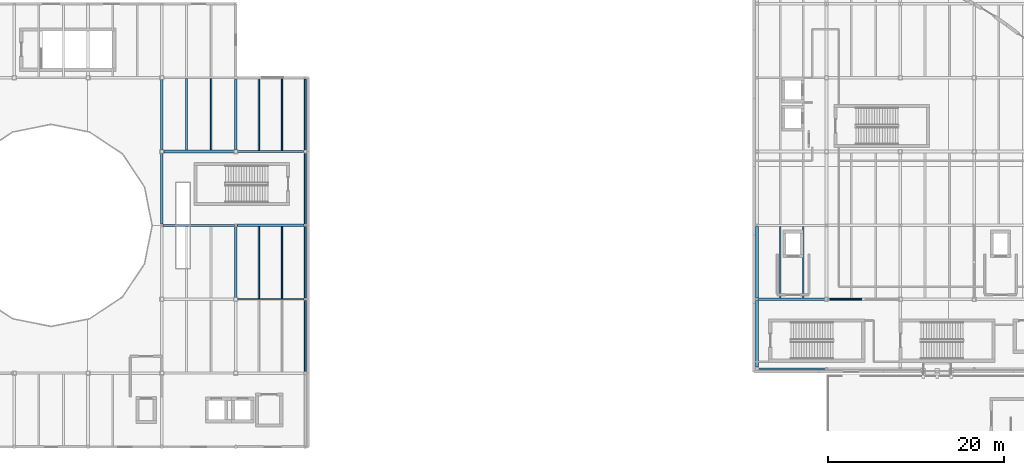
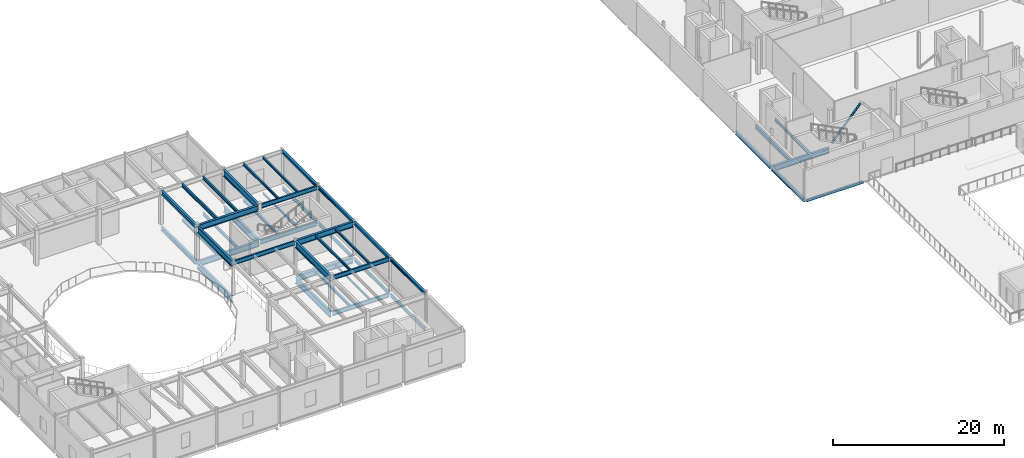
# One storey, part 15 of 57: 43 beams, 1 member.
"""IFC4 building model written with IfcOpenShell, lengths in metres."""

from ifc_helpers import new_model, si_unit, direction, frame, origin, origin_2d, place, context, subcontext, project, spatial, hollow_rectangle, hollow_circle, i_section, extrude, material, material_profile, profile_set, type_object, element, save


model = new_model("IFC4")

# Units and contexts
model_context = context("Model", 3, precision=1e-05, world=origin(), true_north=direction((0.0, 1.0)))
body_context = subcontext(model_context, "Body", "Model", "MODEL_VIEW")
ifc_project = project(units=[si_unit("LENGTHUNIT", "METRE"), si_unit("AREAUNIT", "SQUARE_METRE"), si_unit("VOLUMEUNIT", "CUBIC_METRE"), si_unit("PLANEANGLEUNIT", "RADIAN"), si_unit("MASSUNIT", "GRAM", prefix="KILO"), si_unit("THERMODYNAMICTEMPERATUREUNIT", "KELVIN")], contexts=[model_context])

# Site, building, storey
site_placement = place(None, origin())
site = spatial("IfcSite", under=ifc_project, at=site_placement, CompositionType="ELEMENT")
building_placement = place(site_placement, origin())
building = spatial("IfcBuilding", under=site, at=building_placement, Name="Lustrewick Department Store", CompositionType="ELEMENT")
storey_placement = place(building_placement, frame((0.0, 0.0, 26.699951171875)))
storey = spatial("IfcBuildingStorey", under=building, at=storey_placement, Name="L06", CompositionType="ELEMENT", Elevation=26.699951171875)

# Beams
ifc_material_1 = material(Name="Structural steel Q355B", Category="steel")
ifc_material_profile_1 = material_profile(ifc_material_1, i_section(OverallWidth=0.199951171875, OverallDepth=0.5, WebThickness=0.010009765625, FlangeThickness=0.01611328125, FilletRadius=0.01611328125, at=origin_2d()), Name="HN 500x200x10x16")
ifc_profile_set_1 = profile_set([ifc_material_profile_1], Name="Structural steel Q355B")
beam_type_1 = type_object("IfcBeamType", Name="B01", PredefinedType="JOIST", material=ifc_profile_set_1)
beam_1_placement = place(storey_placement, frame((44.800048828125, 75.75, 4.594970703125), z_axis=(0.0, 1.0, 0.0), x_axis=(-1.0, 0.0, 0.0)))
element("IfcBeam", 1, at=beam_1_placement, inside=storey, type_object=beam_type_1, Name="L06 V1 Secondary Joist B01", PredefinedType="JOIST", context=body_context, shape_type="SweptSolid", body=[
    extrude(i_section(OverallWidth=0.199951171875, OverallDepth=0.5, WebThickness=0.010009765625, FlangeThickness=0.01611328125, FilletRadius=0.01611328125, at=origin_2d()), origin(), (0.0, 0.0, 1.0), 8.14990234375),
])
ifc_material_profile_2 = material_profile(ifc_material_1, i_section(OverallWidth=0.198974609375, OverallDepth=0.49609375, WebThickness=0.009033203125, FlangeThickness=0.013916015625, FilletRadius=0.01611328125, at=origin_2d()), Name="HN 496x199x9x14")
ifc_profile_set_2 = profile_set([ifc_material_profile_2], Name="Structural steel Q355B")
beam_type_2 = type_object("IfcBeamType", Name="B02", PredefinedType="JOIST", material=ifc_profile_set_2)
beam_2_placement = place(storey_placement, frame((112.333251953125, 58.950927734375, -0.5029296875), z_axis=(0.0, 1.0, 0.0), x_axis=(-1.0, 0.0, 0.0)))
element("IfcBeam", 2, at=beam_2_placement, inside=storey, type_object=beam_type_2, Name="L06 V4 Secondary Joist B02", PredefinedType="JOIST", context=body_context, shape_type="SweptSolid", body=[
    extrude(i_section(OverallWidth=0.198974609375, OverallDepth=0.49609375, WebThickness=0.009033203125, FlangeThickness=0.013916015625, FilletRadius=0.01611328125, at=origin_2d()), origin(), (0.0, 0.0, 1.0), 8.148681640625),
])
ifc_material_profile_3 = material_profile(ifc_material_1, i_section(OverallWidth=0.198974609375, OverallDepth=0.446044921875, WebThickness=0.008056640625, FlangeThickness=0.011962890625, FilletRadius=0.01611328125, at=origin_2d()), Name="HN 446x199x8x12")
ifc_profile_set_3 = profile_set([ifc_material_profile_3], Name="Structural steel Q355B")
beam_type_3 = type_object("IfcBeamType", Name="B04", PredefinedType="JOIST", material=ifc_profile_set_3)
beam_3_placement = place(storey_placement, frame((47.60009765625, 75.75, -0.47802734375), z_axis=(0.0, 1.0, 0.0), x_axis=(-1.0, 0.0, 0.0)))
element("IfcBeam", 3, at=beam_3_placement, inside=storey, type_object=beam_type_3, Name="L06 V1 Secondary Joist B04", PredefinedType="JOIST", context=body_context, shape_type="SweptSolid", body=[
    extrude(i_section(OverallWidth=0.198974609375, OverallDepth=0.446044921875, WebThickness=0.008056640625, FlangeThickness=0.011962890625, FilletRadius=0.01611328125, at=origin_2d()), origin(), (0.0, 0.0, 1.0), 8.1494140625),
])
ifc_material_profile_4 = material_profile(ifc_material_1, i_section(OverallWidth=0.199951171875, OverallDepth=0.39990234375, WebThickness=0.008056640625, FlangeThickness=0.012939453125, FilletRadius=0.013916015625, at=origin_2d()), Name="HN 400x200x8x13")
ifc_profile_set_4 = profile_set([ifc_material_profile_4], Name="Structural steel Q355B")
beam_type_4 = type_object("IfcBeamType", Name="B05", PredefinedType="JOIST", material=ifc_profile_set_4)
beam_4_placement = place(storey_placement, frame((47.60009765625, 75.75, 4.64501953125), z_axis=(0.0, 1.0, 0.0), x_axis=(-1.0, 0.0, 0.0)))
element("IfcBeam", 4, at=beam_4_placement, inside=storey, type_object=beam_type_4, Name="L06 V1 Secondary Joist B05", PredefinedType="JOIST", context=body_context, shape_type="SweptSolid", body=[
    extrude(i_section(OverallWidth=0.199951171875, OverallDepth=0.39990234375, WebThickness=0.008056640625, FlangeThickness=0.012939453125, FilletRadius=0.013916015625, at=origin_2d()), origin(), (0.0, 0.0, 1.0), 8.14990234375),
])
ifc_material_profile_5 = material_profile(ifc_material_1, i_section(OverallWidth=0.198974609375, OverallDepth=0.39599609375, WebThickness=0.007080078125, FlangeThickness=0.010986328125, FilletRadius=0.013916015625, at=origin_2d()), Name="HN 396x199x7x11")
ifc_profile_set_5 = profile_set([ifc_material_profile_5], Name="Structural steel Q355B")
beam_type_5 = type_object("IfcBeamType", Name="B06", PredefinedType="JOIST", material=ifc_profile_set_5)
beam_5_placement = place(storey_placement, frame((114.966796875, 58.950927734375, -0.452880859375), z_axis=(0.0, 1.0, 0.0), x_axis=(-1.0, 0.0, 0.0)))
element("IfcBeam", 5, at=beam_5_placement, inside=storey, type_object=beam_type_5, Name="L06 V4 Secondary Joist B06", PredefinedType="JOIST", context=body_context, shape_type="SweptSolid", body=[
    extrude(i_section(OverallWidth=0.198974609375, OverallDepth=0.39599609375, WebThickness=0.007080078125, FlangeThickness=0.010986328125, FilletRadius=0.013916015625, at=origin_2d()), origin(), (0.0, 0.0, 1.0), 8.148681640625),
])
ifc_material_profile_6 = material_profile(ifc_material_1, i_section(OverallWidth=0.25, OverallDepth=0.340087890625, WebThickness=0.009033203125, FlangeThickness=0.013916015625, FilletRadius=0.01611328125, at=origin_2d()), Name="HM 340x250x9x14")
ifc_profile_set_6 = profile_set([ifc_material_profile_6], Name="Structural steel Q355B")
beam_type_6 = type_object("IfcBeamType", Name="B08", PredefinedType="JOIST", material=ifc_profile_set_6)
beam_6_placement = place(storey_placement, frame((53.033203125, 58.900390625, -0.425048828125), z_axis=(0.0, 1.0, 0.0), x_axis=(-1.0, 0.0, 0.0)))
element("IfcBeam", 6, at=beam_6_placement, inside=storey, type_object=beam_type_6, Name="L06 V1 Secondary Joist B08", PredefinedType="JOIST", context=body_context, shape_type="SweptSolid", body=[
    extrude(i_section(OverallWidth=0.25, OverallDepth=0.340087890625, WebThickness=0.009033203125, FlangeThickness=0.013916015625, FilletRadius=0.01611328125, at=origin_2d()), origin(), (0.0, 0.0, 1.0), 8.149658203125),
])
beam_7_placement = place(storey_placement, frame((53.033203125, 75.700439453125, -0.425048828125), z_axis=(0.0, 1.0, 0.0), x_axis=(-1.0, 0.0, 0.0)))
element("IfcBeam", 7, at=beam_7_placement, inside=storey, type_object=beam_type_6, Name="L06 V1 Secondary Joist B08", PredefinedType="JOIST", context=body_context, shape_type="SweptSolid", body=[
    extrude(i_section(OverallWidth=0.25, OverallDepth=0.340087890625, WebThickness=0.009033203125, FlangeThickness=0.013916015625, FilletRadius=0.01611328125, at=origin_2d()), origin(), (0.0, 0.0, 1.0), 8.199462890625),
])
ifc_material_profile_7 = material_profile(ifc_material_1, i_section(OverallWidth=0.175048828125, OverallDepth=0.35009765625, WebThickness=0.007080078125, FlangeThickness=0.010986328125, FilletRadius=0.012939453125, at=origin_2d()), Name="HN 350x175x7x11")
ifc_profile_set_7 = profile_set([ifc_material_profile_7], Name="Structural steel Q355B")
beam_type_7 = type_object("IfcBeamType", Name="B09", PredefinedType="JOIST", material=ifc_profile_set_7)
beam_8_placement = place(storey_placement, frame((53.033203125, 58.89990234375, 4.670166015625), z_axis=(0.0, 1.0, 0.0), x_axis=(-1.0, 0.0, 0.0)))
element("IfcBeam", 8, at=beam_8_placement, inside=storey, type_object=beam_type_7, Name="L06 V1 Secondary Joist B09", PredefinedType="JOIST", context=body_context, shape_type="SweptSolid", body=[
    extrude(i_section(OverallWidth=0.175048828125, OverallDepth=0.35009765625, WebThickness=0.007080078125, FlangeThickness=0.010986328125, FilletRadius=0.012939453125, at=origin_2d()), origin(), (0.0, 0.0, 1.0), 8.150146484375),
])
beam_9_placement = place(storey_placement, frame((53.033203125, 75.699951171875, 4.670166015625), z_axis=(0.0, 1.0, 0.0), x_axis=(-1.0, 0.0, 0.0)))
element("IfcBeam", 9, at=beam_9_placement, inside=storey, type_object=beam_type_7, Name="L06 V1 Secondary Joist B09", PredefinedType="JOIST", context=body_context, shape_type="SweptSolid", body=[
    extrude(i_section(OverallWidth=0.175048828125, OverallDepth=0.35009765625, WebThickness=0.007080078125, FlangeThickness=0.010986328125, FilletRadius=0.012939453125, at=origin_2d()), origin(), (0.0, 0.0, 1.0), 8.199462890625),
])
ifc_material_profile_8 = material_profile(ifc_material_1, i_section(OverallWidth=0.14892578125, OverallDepth=0.298095703125, WebThickness=0.005615234375, FlangeThickness=0.008056640625, FilletRadius=0.011962890625, at=origin_2d()), Name="HN 298x149x5.5x8")
ifc_profile_set_8 = profile_set([ifc_material_profile_8], Name="Structural steel Q355B")
beam_type_8 = type_object("IfcBeamType", Name="B12", PredefinedType="JOIST", material=ifc_profile_set_8)
beam_10_placement = place(storey_placement, frame((55.666748046875, 58.900390625, -0.404052734375), z_axis=(0.0, 1.0, 0.0), x_axis=(-1.0, 0.0, 0.0)))
element("IfcBeam", 10, at=beam_10_placement, inside=storey, type_object=beam_type_8, Name="L06 V1 Secondary Joist B12", PredefinedType="JOIST", context=body_context, shape_type="SweptSolid", body=[
    extrude(i_section(OverallWidth=0.14892578125, OverallDepth=0.298095703125, WebThickness=0.005615234375, FlangeThickness=0.008056640625, FilletRadius=0.011962890625, at=origin_2d()), origin(), (0.0, 0.0, 1.0), 8.149658203125),
])
beam_11_placement = place(storey_placement, frame((55.666748046875, 75.700439453125, -0.404052734375), z_axis=(0.0, 1.0, 0.0), x_axis=(-1.0, 0.0, 0.0)))
element("IfcBeam", 11, at=beam_11_placement, inside=storey, type_object=beam_type_8, Name="L06 V1 Secondary Joist B12", PredefinedType="JOIST", context=body_context, shape_type="SweptSolid", body=[
    extrude(i_section(OverallWidth=0.14892578125, OverallDepth=0.298095703125, WebThickness=0.005615234375, FlangeThickness=0.008056640625, FilletRadius=0.011962890625, at=origin_2d()), origin(), (0.0, 0.0, 1.0), 8.199462890625),
])
ifc_material_profile_9 = material_profile(ifc_material_1, i_section(OverallWidth=0.199951171875, OverallDepth=0.2939453125, WebThickness=0.008056640625, FlangeThickness=0.011962890625, FilletRadius=0.013916015625, at=origin_2d()), Name="HM 294x200x8x12")
ifc_profile_set_9 = profile_set([ifc_material_profile_9], Name="Structural steel Q355B")
beam_type_9 = type_object("IfcBeamType", Name="B13", PredefinedType="JOIST", material=ifc_profile_set_9)
beam_12_placement = place(storey_placement, frame((44.800048828125, 75.75, -0.40185546875), z_axis=(0.0, 1.0, 0.0), x_axis=(-1.0, 0.0, 0.0)))
element("IfcBeam", 12, at=beam_12_placement, inside=storey, type_object=beam_type_9, Name="L06 V1 Secondary Joist B13", PredefinedType="JOIST", context=body_context, shape_type="SweptSolid", body=[
    extrude(i_section(OverallWidth=0.199951171875, OverallDepth=0.2939453125, WebThickness=0.008056640625, FlangeThickness=0.011962890625, FilletRadius=0.013916015625, at=origin_2d()), origin(), (0.0, 0.0, 1.0), 8.1494140625),
])
beam_13_placement = place(storey_placement, frame((55.666748046875, 58.89990234375, 4.697998046875), z_axis=(0.0, 1.0, 0.0), x_axis=(-1.0, 0.0, 0.0)))
element("IfcBeam", 13, at=beam_13_placement, inside=storey, type_object=beam_type_9, Name="L06 V1 Secondary Joist B13", PredefinedType="JOIST", context=body_context, shape_type="SweptSolid", body=[
    extrude(i_section(OverallWidth=0.199951171875, OverallDepth=0.2939453125, WebThickness=0.008056640625, FlangeThickness=0.011962890625, FilletRadius=0.013916015625, at=origin_2d()), origin(), (0.0, 0.0, 1.0), 8.150146484375),
])
beam_14_placement = place(storey_placement, frame((55.666748046875, 75.699951171875, 4.697998046875), z_axis=(0.0, 1.0, 0.0), x_axis=(-1.0, 0.0, 0.0)))
element("IfcBeam", 14, at=beam_14_placement, inside=storey, type_object=beam_type_9, Name="L06 V1 Secondary Joist B13", PredefinedType="JOIST", context=body_context, shape_type="SweptSolid", body=[
    extrude(i_section(OverallWidth=0.199951171875, OverallDepth=0.2939453125, WebThickness=0.008056640625, FlangeThickness=0.011962890625, FilletRadius=0.013916015625, at=origin_2d()), origin(), (0.0, 0.0, 1.0), 8.199462890625),
])

# Member
ifc_material_2 = material(Name="Structural steel Q355C", Category="steel")
ifc_material_profile_10 = material_profile(ifc_material_2, hollow_circle(Radius=0.136474609375, WallThickness=0.010009765625, at=origin_2d()), Name="CHS 273x10")
ifc_profile_set_10 = profile_set([ifc_material_profile_10], Name="Structural steel Q355C")
member_type = type_object("IfcMemberType", Name="BR03", PredefinedType="BRACE", material=ifc_profile_set_10)
member_placement = place(storey_placement, frame((117.824951171875, 58.800048828125, 0.150146484375), z_axis=(0.665591490675, 0.0, 0.746316265092), x_axis=(0.0, 1.0, 0.0)))
element("IfcMember", 15, at=member_placement, inside=storey, type_object=member_type, Name="L06 V4 Chevron Brace BR03", PredefinedType="BRACE", context=body_context, shape_type="SweptSolid", body=[
    extrude(hollow_circle(Radius=0.136474609375, WallThickness=0.010009765625, at=origin_2d()), origin(), (0.0, 0.0, 1.0), 5.82177734375),
])

# Beams
ifc_material_profile_11 = material_profile(ifc_material_2, i_section(OverallWidth=0.302001953125, OverallDepth=0.912109375, WebThickness=0.01806640625, FlangeThickness=0.033935546875, FilletRadius=0.02392578125, at=origin_2d()), Name="HN 912x302x18x34")
ifc_profile_set_11 = profile_set([ifc_material_profile_11], Name="Structural steel Q355C")
beam_type_10 = type_object("IfcBeamType", Name="G01", PredefinedType="BEAM", material=ifc_profile_set_11)
beam_15_placement = place(storey_placement, frame((42.0, 67.3720703125, -0.7109375), z_axis=(0.0, 1.0, 0.0), x_axis=(-1.0, 0.0, 0.0)))
element("IfcBeam", 16, at=beam_15_placement, inside=storey, type_object=beam_type_10, Name="L06 V1 Girder G01", PredefinedType="BEAM", context=body_context, shape_type="SweptSolid", body=[
    extrude(i_section(OverallWidth=0.302001953125, OverallDepth=0.912109375, WebThickness=0.01806640625, FlangeThickness=0.033935546875, FilletRadius=0.02392578125, at=origin_2d()), origin(), (0.0, 0.0, 1.0), 8.077880859375),
])
beam_16_placement = place(storey_placement, frame((50.39990234375, 58.949951171875, -0.7109375), z_axis=(0.0, 1.0, 0.0), x_axis=(-1.0, 0.0, 0.0)))
element("IfcBeam", 17, at=beam_16_placement, inside=storey, type_object=beam_type_10, Name="L06 V1 Girder G01", PredefinedType="BEAM", context=body_context, shape_type="SweptSolid", body=[
    extrude(i_section(OverallWidth=0.302001953125, OverallDepth=0.912109375, WebThickness=0.01806640625, FlangeThickness=0.033935546875, FilletRadius=0.02392578125, at=origin_2d()), origin(), (0.0, 0.0, 1.0), 8.078125),
])
beam_17_placement = place(storey_placement, frame((50.39990234375, 75.75, -0.7109375), z_axis=(0.0, 1.0, 0.0), x_axis=(-1.0, 0.0, 0.0)))
element("IfcBeam", 18, at=beam_17_placement, inside=storey, type_object=beam_type_10, Name="L06 V1 Girder G01", PredefinedType="BEAM", context=body_context, shape_type="SweptSolid", body=[
    extrude(i_section(OverallWidth=0.302001953125, OverallDepth=0.912109375, WebThickness=0.01806640625, FlangeThickness=0.033935546875, FilletRadius=0.02392578125, at=origin_2d()), origin(), (0.0, 0.0, 1.0), 8.072021484375),
])
ifc_material_profile_12 = material_profile(ifc_material_2, i_section(OverallWidth=0.300048828125, OverallDepth=0.89990234375, WebThickness=0.01611328125, FlangeThickness=0.028076171875, FilletRadius=0.02392578125, at=origin_2d()), Name="HN 900x300x16x28")
ifc_profile_set_12 = profile_set([ifc_material_profile_12], Name="Structural steel Q355C")
beam_type_11 = type_object("IfcBeamType", Name="G02", PredefinedType="BEAM", material=ifc_profile_set_12)
beam_18_placement = place(storey_placement, frame((42.0, 67.35009765625, 4.39501953125), z_axis=(0.0, 1.0, 0.0), x_axis=(-1.0, 0.0, 0.0)))
element("IfcBeam", 19, at=beam_18_placement, inside=storey, type_object=beam_type_11, Name="L06 V1 Girder G02", PredefinedType="BEAM", context=body_context, shape_type="SweptSolid", body=[
    extrude(i_section(OverallWidth=0.300048828125, OverallDepth=0.89990234375, WebThickness=0.01611328125, FlangeThickness=0.028076171875, FilletRadius=0.02392578125, at=origin_2d()), origin(), (0.0, 0.0, 1.0), 8.02490234375),
])
beam_19_placement = place(storey_placement, frame((50.39990234375, 59.02490234375, 4.39501953125), z_axis=(0.0, 1.0, 0.0), x_axis=(-1.0, 0.0, 0.0)))
element("IfcBeam", 20, at=beam_19_placement, inside=storey, type_object=beam_type_11, Name="L06 V1 Girder G02", PredefinedType="BEAM", context=body_context, shape_type="SweptSolid", body=[
    extrude(i_section(OverallWidth=0.300048828125, OverallDepth=0.89990234375, WebThickness=0.01611328125, FlangeThickness=0.028076171875, FilletRadius=0.02392578125, at=origin_2d()), origin(), (0.0, 0.0, 1.0), 8.025146484375),
])
beam_20_placement = place(storey_placement, frame((50.39990234375, 75.824951171875, 4.39501953125), z_axis=(0.0, 1.0, 0.0), x_axis=(-1.0, 0.0, 0.0)))
element("IfcBeam", 21, at=beam_20_placement, inside=storey, type_object=beam_type_11, Name="L06 V1 Girder G02", PredefinedType="BEAM", context=body_context, shape_type="SweptSolid", body=[
    extrude(i_section(OverallWidth=0.300048828125, OverallDepth=0.89990234375, WebThickness=0.01611328125, FlangeThickness=0.028076171875, FilletRadius=0.02392578125, at=origin_2d()), origin(), (0.0, 0.0, 1.0), 7.9970703125),
])
ifc_material_profile_13 = material_profile(ifc_material_2, i_section(OverallWidth=0.302001953125, OverallDepth=0.80810546875, WebThickness=0.01611328125, FlangeThickness=0.030029296875, FilletRadius=0.02197265625, at=origin_2d()), Name="HN 808x302x16x30")
ifc_profile_set_13 = profile_set([ifc_material_profile_13], Name="Structural steel Q355C")
beam_type_12 = type_object("IfcBeamType", Name="G04", PredefinedType="BEAM", material=ifc_profile_set_13)
beam_21_placement = place(storey_placement, frame((109.824951171875, 58.800048828125, -0.658935546875), z_axis=(1.0, 0.0, 0.0), x_axis=(0.0, 1.0, 0.0)))
element("IfcBeam", 22, at=beam_21_placement, inside=storey, type_object=beam_type_12, Name="L06 V4 Girder G04", PredefinedType="BEAM", context=body_context, shape_type="SweptSolid", body=[
    extrude(i_section(OverallWidth=0.302001953125, OverallDepth=0.80810546875, WebThickness=0.01611328125, FlangeThickness=0.030029296875, FilletRadius=0.02197265625, at=origin_2d()), origin(), (0.0, 0.0, 1.0), 7.625),
])
ifc_material_profile_14 = material_profile(ifc_material_1, i_section(OverallWidth=0.300048828125, OverallDepth=0.800048828125, WebThickness=0.013916015625, FlangeThickness=0.02587890625, FilletRadius=0.02197265625, at=origin_2d()), Name="HN 800x300x14x26")
ifc_profile_set_14 = profile_set([ifc_material_profile_14], Name="Structural steel Q355B")
beam_type_13 = type_object("IfcBeamType", Name="G05", PredefinedType="BEAM", material=ifc_profile_set_14)
beam_22_placement = place(storey_placement, frame((50.573974609375, 67.199951171875, -0.655029296875), z_axis=(1.0, 0.0, 0.0), x_axis=(0.0, 1.0, 0.0)))
element("IfcBeam", 23, at=beam_22_placement, inside=storey, type_object=beam_type_13, Name="L06 V1 Girder G05", PredefinedType="BEAM", context=body_context, shape_type="SweptSolid", body=[
    extrude(i_section(OverallWidth=0.300048828125, OverallDepth=0.800048828125, WebThickness=0.013916015625, FlangeThickness=0.02587890625, FilletRadius=0.02197265625, at=origin_2d()), origin(), (0.0, 0.0, 1.0), 7.60107421875),
])
beam_23_placement = place(storey_placement, frame((42.14990234375, 75.60009765625, -0.655029296875), z_axis=(1.0, 0.0, 0.0), x_axis=(0.0, 1.0, 0.0)))
element("IfcBeam", 24, at=beam_23_placement, inside=storey, type_object=beam_type_13, Name="L06 V1 Girder G05", PredefinedType="BEAM", context=body_context, shape_type="SweptSolid", body=[
    extrude(i_section(OverallWidth=0.300048828125, OverallDepth=0.800048828125, WebThickness=0.013916015625, FlangeThickness=0.02587890625, FilletRadius=0.02197265625, at=origin_2d()), origin(), (0.0, 0.0, 1.0), 8.10009765625),
])
ifc_material_profile_15 = material_profile(ifc_material_1, i_section(OverallWidth=0.300048828125, OverallDepth=0.7919921875, WebThickness=0.013916015625, FlangeThickness=0.02197265625, FilletRadius=0.02197265625, at=origin_2d()), Name="HN 792x300x14x22")
ifc_profile_set_15 = profile_set([ifc_material_profile_15], Name="Structural steel Q355B")
beam_type_14 = type_object("IfcBeamType", Name="G06", PredefinedType="BEAM", material=ifc_profile_set_15)
beam_24_placement = place(storey_placement, frame((50.550048828125, 67.199951171875, 4.448974609375), z_axis=(1.0, 0.0, 0.0), x_axis=(0.0, 1.0, 0.0)))
element("IfcBeam", 25, at=beam_24_placement, inside=storey, type_object=beam_type_14, Name="L06 V1 Girder G06", PredefinedType="BEAM", context=body_context, shape_type="SweptSolid", body=[
    extrude(i_section(OverallWidth=0.300048828125, OverallDepth=0.7919921875, WebThickness=0.013916015625, FlangeThickness=0.02197265625, FilletRadius=0.02197265625, at=origin_2d()), origin(), (0.0, 0.0, 1.0), 7.625),
])
beam_25_placement = place(storey_placement, frame((42.22509765625, 75.60009765625, 4.448974609375), z_axis=(1.0, 0.0, 0.0), x_axis=(0.0, 1.0, 0.0)))
element("IfcBeam", 26, at=beam_25_placement, inside=storey, type_object=beam_type_14, Name="L06 V1 Girder G06", PredefinedType="BEAM", context=body_context, shape_type="SweptSolid", body=[
    extrude(i_section(OverallWidth=0.300048828125, OverallDepth=0.7919921875, WebThickness=0.013916015625, FlangeThickness=0.02197265625, FilletRadius=0.02197265625, at=origin_2d()), origin(), (0.0, 0.0, 1.0), 7.949951171875),
])
ifc_material_profile_16 = material_profile(ifc_material_1, i_section(OverallWidth=0.302001953125, OverallDepth=0.593994140625, WebThickness=0.013916015625, FlangeThickness=0.02294921875, FilletRadius=0.02392578125, at=origin_2d()), Name="HM 594x302x14x23")
ifc_profile_set_16 = profile_set([ifc_material_profile_16], Name="Structural steel Q355B")
beam_type_15 = type_object("IfcBeamType", Name="G10", PredefinedType="BEAM", material=ifc_profile_set_16)
beam_26_placement = place(storey_placement, frame((42.0, 75.75, -0.552001953125), z_axis=(0.0, 1.0, 0.0), x_axis=(-1.0, 0.0, 0.0)))
element("IfcBeam", 27, at=beam_26_placement, inside=storey, type_object=beam_type_15, Name="L06 V1 Girder G10", PredefinedType="BEAM", context=body_context, shape_type="SweptSolid", body=[
    extrude(i_section(OverallWidth=0.302001953125, OverallDepth=0.593994140625, WebThickness=0.013916015625, FlangeThickness=0.02294921875, FilletRadius=0.02392578125, at=origin_2d()), origin(), (0.0, 0.0, 1.0), 8.10009765625),
])
ifc_material_profile_17 = material_profile(ifc_material_1, i_section(OverallWidth=0.300048828125, OverallDepth=0.587890625, WebThickness=0.011962890625, FlangeThickness=0.02001953125, FilletRadius=0.02392578125, at=origin_2d()), Name="HM 588x300x12x20")
ifc_profile_set_17 = profile_set([ifc_material_profile_17], Name="Structural steel Q355B")
beam_type_16 = type_object("IfcBeamType", Name="G11", PredefinedType="BEAM", material=ifc_profile_set_17)
beam_27_placement = place(storey_placement, frame((42.0, 75.824951171875, 4.551025390625), z_axis=(0.0, 1.0, 0.0), x_axis=(-1.0, 0.0, 0.0)))
element("IfcBeam", 28, at=beam_27_placement, inside=storey, type_object=beam_type_16, Name="L06 V1 Girder G11", PredefinedType="BEAM", context=body_context, shape_type="SweptSolid", body=[
    extrude(i_section(OverallWidth=0.300048828125, OverallDepth=0.587890625, WebThickness=0.011962890625, FlangeThickness=0.02001953125, FilletRadius=0.02392578125, at=origin_2d()), origin(), (0.0, 0.0, 1.0), 7.949951171875),
])
ifc_material_profile_18 = material_profile(ifc_material_1, i_section(OverallWidth=0.200927734375, OverallDepth=0.60595703125, WebThickness=0.011962890625, FlangeThickness=0.02001953125, FilletRadius=0.01806640625, at=origin_2d()), Name="HN 606x201x12x20")
ifc_profile_set_18 = profile_set([ifc_material_profile_18], Name="Structural steel Q355B")
beam_type_17 = type_object("IfcBeamType", Name="G13", PredefinedType="BEAM", material=ifc_profile_set_18)
beam_28_placement = place(storey_placement, frame((50.550048828125, 58.800048828125, -0.557861328125), z_axis=(1.0, 0.0, 0.0), x_axis=(0.0, 1.0, 0.0)))
element("IfcBeam", 29, at=beam_28_placement, inside=storey, type_object=beam_type_17, Name="L06 V1 Girder G13", PredefinedType="BEAM", context=body_context, shape_type="SweptSolid", body=[
    extrude(i_section(OverallWidth=0.200927734375, OverallDepth=0.60595703125, WebThickness=0.011962890625, FlangeThickness=0.02001953125, FilletRadius=0.01806640625, at=origin_2d()), origin(), (0.0, 0.0, 1.0), 7.625),
])
beam_29_placement = place(storey_placement, frame((50.550048828125, 75.60009765625, -0.557861328125), z_axis=(1.0, 0.0, 0.0), x_axis=(0.0, 1.0, 0.0)))
element("IfcBeam", 30, at=beam_29_placement, inside=storey, type_object=beam_type_17, Name="L06 V1 Girder G13", PredefinedType="BEAM", context=body_context, shape_type="SweptSolid", body=[
    extrude(i_section(OverallWidth=0.200927734375, OverallDepth=0.60595703125, WebThickness=0.011962890625, FlangeThickness=0.02001953125, FilletRadius=0.01806640625, at=origin_2d()), origin(), (0.0, 0.0, 1.0), 7.572021484375),
])
ifc_material_profile_19 = material_profile(ifc_material_1, i_section(OverallWidth=0.199951171875, OverallDepth=0.60009765625, WebThickness=0.010986328125, FlangeThickness=0.01708984375, FilletRadius=0.01806640625, at=origin_2d()), Name="HN 600x200x11x17")
ifc_profile_set_19 = profile_set([ifc_material_profile_19], Name="Structural steel Q355B")
beam_type_18 = type_object("IfcBeamType", Name="G14", PredefinedType="BEAM", material=ifc_profile_set_19)
beam_30_placement = place(storey_placement, frame((50.625, 58.800048828125, 4.545166015625), z_axis=(1.0, 0.0, 0.0), x_axis=(0.0, 1.0, 0.0)))
element("IfcBeam", 31, at=beam_30_placement, inside=storey, type_object=beam_type_18, Name="L06 V1 Girder G14", PredefinedType="BEAM", context=body_context, shape_type="SweptSolid", body=[
    extrude(i_section(OverallWidth=0.199951171875, OverallDepth=0.60009765625, WebThickness=0.010986328125, FlangeThickness=0.01708984375, FilletRadius=0.01806640625, at=origin_2d()), origin(), (0.0, 0.0, 1.0), 7.550048828125),
])
beam_31_placement = place(storey_placement, frame((42.14990234375, 67.199951171875, 4.545166015625), z_axis=(1.0, 0.0, 0.0), x_axis=(0.0, 1.0, 0.0)))
element("IfcBeam", 32, at=beam_31_placement, inside=storey, type_object=beam_type_18, Name="L06 V1 Girder G14", PredefinedType="BEAM", context=body_context, shape_type="SweptSolid", body=[
    extrude(i_section(OverallWidth=0.199951171875, OverallDepth=0.60009765625, WebThickness=0.010986328125, FlangeThickness=0.01708984375, FilletRadius=0.01806640625, at=origin_2d()), origin(), (0.0, 0.0, 1.0), 8.10009765625),
])
beam_32_placement = place(storey_placement, frame((50.625, 75.60009765625, 4.545166015625), z_axis=(1.0, 0.0, 0.0), x_axis=(0.0, 1.0, 0.0)))
element("IfcBeam", 33, at=beam_32_placement, inside=storey, type_object=beam_type_18, Name="L06 V1 Girder G14", PredefinedType="BEAM", context=body_context, shape_type="SweptSolid", body=[
    extrude(i_section(OverallWidth=0.199951171875, OverallDepth=0.60009765625, WebThickness=0.010986328125, FlangeThickness=0.01708984375, FilletRadius=0.01806640625, at=origin_2d()), origin(), (0.0, 0.0, 1.0), 7.4970703125),
])
ifc_material_profile_20 = material_profile(ifc_material_1, i_section(OverallWidth=0.200927734375, OverallDepth=0.506103515625, WebThickness=0.010986328125, FlangeThickness=0.01904296875, FilletRadius=0.01611328125, at=origin_2d()), Name="HN 506x201x11x19")
ifc_profile_set_20 = profile_set([ifc_material_profile_20], Name="Structural steel Q355B")
beam_type_19 = type_object("IfcBeamType", Name="SP01", PredefinedType="SPANDREL", material=ifc_profile_set_20)
beam_33_placement = place(storey_placement, frame((58.300048828125, 50.577880859375, -0.508056640625), z_axis=(0.0, 1.0, 0.0), x_axis=(-1.0, 0.0, 0.0)))
element("IfcBeam", 34, at=beam_33_placement, inside=storey, type_object=beam_type_19, Name="L06 V1 Girder SP01", PredefinedType="SPANDREL", context=body_context, shape_type="SweptSolid", body=[
    extrude(i_section(OverallWidth=0.200927734375, OverallDepth=0.506103515625, WebThickness=0.010986328125, FlangeThickness=0.01904296875, FilletRadius=0.01611328125, at=origin_2d()), origin(), (0.0, 0.0, 1.0), 8.09716796875),
])
beam_34_placement = place(storey_placement, frame((58.300048828125, 58.925048828125, -0.508056640625), z_axis=(0.0, 1.0, 0.0), x_axis=(-1.0, 0.0, 0.0)))
element("IfcBeam", 35, at=beam_34_placement, inside=storey, type_object=beam_type_19, Name="L06 V1 Girder SP01", PredefinedType="SPANDREL", context=body_context, shape_type="SweptSolid", body=[
    extrude(i_section(OverallWidth=0.200927734375, OverallDepth=0.506103515625, WebThickness=0.010986328125, FlangeThickness=0.01904296875, FilletRadius=0.01611328125, at=origin_2d()), origin(), (0.0, 0.0, 1.0), 8.14990234375),
])
beam_35_placement = place(storey_placement, frame((58.300048828125, 67.324951171875, -0.508056640625), z_axis=(0.0, 1.0, 0.0), x_axis=(-1.0, 0.0, 0.0)))
element("IfcBeam", 36, at=beam_35_placement, inside=storey, type_object=beam_type_19, Name="L06 V1 Girder SP01", PredefinedType="SPANDREL", context=body_context, shape_type="SweptSolid", body=[
    extrude(i_section(OverallWidth=0.200927734375, OverallDepth=0.506103515625, WebThickness=0.010986328125, FlangeThickness=0.01904296875, FilletRadius=0.01611328125, at=origin_2d()), origin(), (0.0, 0.0, 1.0), 8.09716796875),
])
beam_36_placement = place(storey_placement, frame((58.300048828125, 75.778076171875, -0.508056640625), z_axis=(0.0, 1.0, 0.0), x_axis=(-1.0, 0.0, 0.0)))
element("IfcBeam", 37, at=beam_36_placement, inside=storey, type_object=beam_type_19, Name="L06 V1 Girder SP01", PredefinedType="SPANDREL", context=body_context, shape_type="SweptSolid", body=[
    extrude(i_section(OverallWidth=0.200927734375, OverallDepth=0.506103515625, WebThickness=0.010986328125, FlangeThickness=0.01904296875, FilletRadius=0.01611328125, at=origin_2d()), origin(), (0.0, 0.0, 1.0), 8.096923828125),
])
ifc_material_profile_21 = material_profile(ifc_material_1, i_section(OverallWidth=0.300048828125, OverallDepth=0.43994140625, WebThickness=0.010986328125, FlangeThickness=0.01806640625, FilletRadius=0.02001953125, at=origin_2d()), Name="HM 440x300x11x18")
ifc_profile_set_21 = profile_set([ifc_material_profile_21], Name="Structural steel Q355B")
beam_type_20 = type_object("IfcBeamType", Name="SP02", PredefinedType="SPANDREL", material=ifc_profile_set_21)
beam_37_placement = place(storey_placement, frame((109.699951171875, 51.077880859375, -0.474853515625), z_axis=(0.0, 1.0, 0.0), x_axis=(-1.0, 0.0, 0.0)))
element("IfcBeam", 38, at=beam_37_placement, inside=storey, type_object=beam_type_20, Name="L06 V4 Girder SP02", PredefinedType="SPANDREL", context=body_context, shape_type="SweptSolid", body=[
    extrude(i_section(OverallWidth=0.300048828125, OverallDepth=0.43994140625, WebThickness=0.010986328125, FlangeThickness=0.01806640625, FilletRadius=0.02001953125, at=origin_2d()), origin(), (0.0, 0.0, 1.0), 7.59716796875),
])
beam_38_placement = place(storey_placement, frame((109.699951171875, 58.925048828125, -0.474853515625), z_axis=(0.0, 1.0, 0.0), x_axis=(-1.0, 0.0, 0.0)))
element("IfcBeam", 39, at=beam_38_placement, inside=storey, type_object=beam_type_20, Name="L06 V4 Girder SP02", PredefinedType="SPANDREL", context=body_context, shape_type="SweptSolid", body=[
    extrude(i_section(OverallWidth=0.300048828125, OverallDepth=0.43994140625, WebThickness=0.010986328125, FlangeThickness=0.01806640625, FilletRadius=0.02001953125, at=origin_2d()), origin(), (0.0, 0.0, 1.0), 8.14990234375),
])
beam_39_placement = place(storey_placement, frame((58.300048828125, 50.577880859375, 4.625), z_axis=(0.0, 1.0, 0.0), x_axis=(-1.0, 0.0, 0.0)))
element("IfcBeam", 40, at=beam_39_placement, inside=storey, type_object=beam_type_20, Name="L06 V1 Girder SP02", PredefinedType="SPANDREL", context=body_context, shape_type="SweptSolid", body=[
    extrude(i_section(OverallWidth=0.300048828125, OverallDepth=0.43994140625, WebThickness=0.010986328125, FlangeThickness=0.01806640625, FilletRadius=0.02001953125, at=origin_2d()), origin(), (0.0, 0.0, 1.0), 8.09716796875),
])
beam_40_placement = place(storey_placement, frame((58.300048828125, 58.925048828125, 4.625), z_axis=(0.0, 1.0, 0.0), x_axis=(-1.0, 0.0, 0.0)))
element("IfcBeam", 41, at=beam_40_placement, inside=storey, type_object=beam_type_20, Name="L06 V1 Girder SP02", PredefinedType="SPANDREL", context=body_context, shape_type="SweptSolid", body=[
    extrude(i_section(OverallWidth=0.300048828125, OverallDepth=0.43994140625, WebThickness=0.010986328125, FlangeThickness=0.01806640625, FilletRadius=0.02001953125, at=origin_2d()), origin(), (0.0, 0.0, 1.0), 8.14990234375),
])
beam_41_placement = place(storey_placement, frame((58.300048828125, 67.324951171875, 4.625), z_axis=(0.0, 1.0, 0.0), x_axis=(-1.0, 0.0, 0.0)))
element("IfcBeam", 42, at=beam_41_placement, inside=storey, type_object=beam_type_20, Name="L06 V1 Girder SP02", PredefinedType="SPANDREL", context=body_context, shape_type="SweptSolid", body=[
    extrude(i_section(OverallWidth=0.300048828125, OverallDepth=0.43994140625, WebThickness=0.010986328125, FlangeThickness=0.01806640625, FilletRadius=0.02001953125, at=origin_2d()), origin(), (0.0, 0.0, 1.0), 8.09716796875),
])
beam_42_placement = place(storey_placement, frame((58.300048828125, 75.778076171875, 4.625), z_axis=(0.0, 1.0, 0.0), x_axis=(-1.0, 0.0, 0.0)))
element("IfcBeam", 43, at=beam_42_placement, inside=storey, type_object=beam_type_20, Name="L06 V1 Girder SP02", PredefinedType="SPANDREL", context=body_context, shape_type="SweptSolid", body=[
    extrude(i_section(OverallWidth=0.300048828125, OverallDepth=0.43994140625, WebThickness=0.010986328125, FlangeThickness=0.01806640625, FilletRadius=0.02001953125, at=origin_2d()), origin(), (0.0, 0.0, 1.0), 8.096923828125),
])
ifc_material_profile_22 = material_profile(ifc_material_2, hollow_rectangle(XDim=0.199951171875, YDim=0.35009765625, WallThickness=0.011962890625, at=origin_2d()), Name="RHS 350x200x12")
ifc_profile_set_22 = profile_set([ifc_material_profile_22], Name="Structural steel Q355C")
beam_type_21 = type_object("IfcBeamType", Name="SP03", PredefinedType="SPANDREL", material=ifc_profile_set_22)
beam_43_placement = place(storey_placement, frame((109.8779296875, 50.89990234375, -0.429931640625), z_axis=(1.0, 0.0, 0.0), x_axis=(0.0, 1.0, 0.0)))
element("IfcBeam", 44, at=beam_43_placement, inside=storey, type_object=beam_type_21, Name="L06 V4 Girder SP03", PredefinedType="SPANDREL", context=body_context, shape_type="SweptSolid", body=[
    extrude(hollow_rectangle(XDim=0.199951171875, YDim=0.35009765625, WallThickness=0.011962890625, at=origin_2d()), origin(), (0.0, 0.0, 1.0), 7.59716796875),
])

save(model, "model.ifc")
